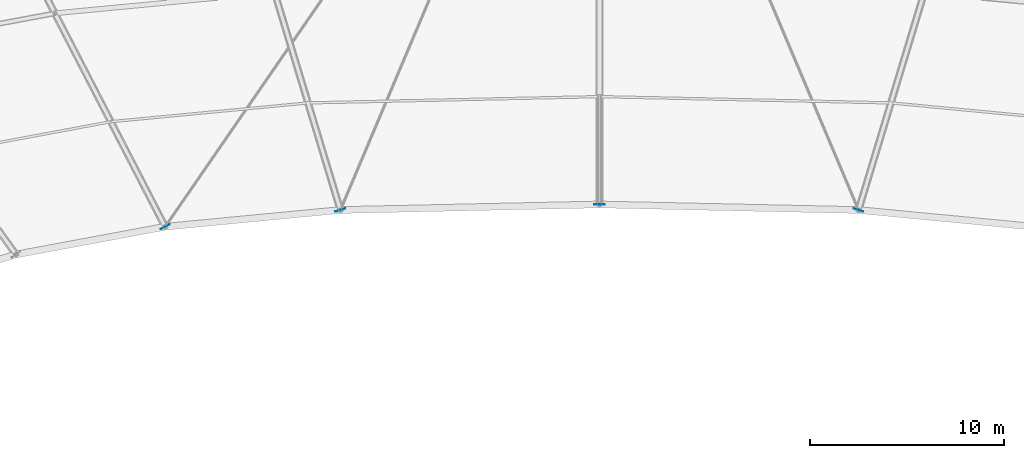
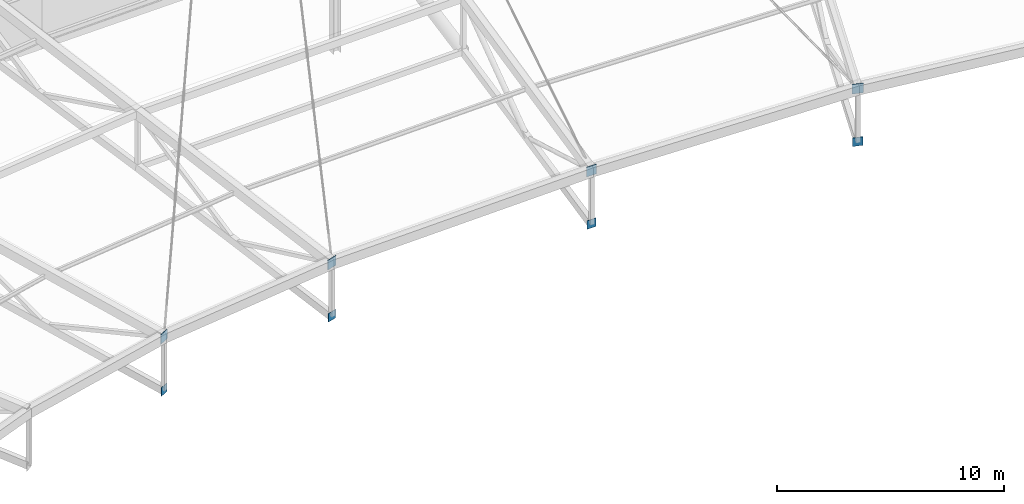
# One storey, part 119 of 143: 8 plates.
"""IFC4 building model written with IfcOpenShell, lengths in metres."""

from ifc_helpers import new_model, si_unit, direction, frame, origin, origin_2d, place, context, subcontext, project, spatial, rectangle, extrude, material, layer, layer_set, type_object, element, save


model = new_model("IFC4")

# Units and contexts
model_context = context("Model", 3, precision=1e-05, world=origin(), true_north=direction((0.0, 1.0)))
body_context = subcontext(model_context, "Body", "Model", "MODEL_VIEW")
ifc_project = project(units=[si_unit("LENGTHUNIT", "METRE"), si_unit("AREAUNIT", "SQUARE_METRE"), si_unit("VOLUMEUNIT", "CUBIC_METRE"), si_unit("PLANEANGLEUNIT", "RADIAN"), si_unit("MASSUNIT", "GRAM", prefix="KILO")], contexts=[model_context])

# Site, building, storey
site_placement = place(None, origin())
site = spatial("IfcSite", under=ifc_project, at=site_placement, CompositionType="ELEMENT")
building_placement = place(site_placement, origin())
building = spatial("IfcBuilding", under=site, at=building_placement, Name="Mphavela Belvedere Stadium", CompositionType="ELEMENT")
storey_placement = place(building_placement, frame((0.0, 0.0, 28.800048828125)))
storey = spatial("IfcBuildingStorey", under=building, at=storey_placement, Name="RF", CompositionType="ELEMENT", Elevation=28.800048828125)

# Plates
ifc_material_1 = material(Name="Steel S355", Category="steel")
ifc_layer_1 = layer(ifc_material_1, 0.01806640625)
ifc_layer_set_1 = layer_set([ifc_layer_1], Name="Steel S355")
plate_type_1 = type_object("IfcPlateType", Name="PLT-CAP-TRUSS-BC", PredefinedType="USERDEFINED", material=ifc_layer_set_1)
for number, where, z_axis, x_axis, name in (
    (1, (128.352294921875, 131.1923828125, 4.116455078125), (0.0, 0.0, 1.0), (0.289198876314, 0.957269037387, 0.0), "Roof truss RT-12 hollow-end cap plate in_bc"),
    (2, (115.0, 131.47998046875, 4.215087890625), (0.0, 0.0, 1.0), (0.0, 1.0, 0.0), "Roof truss RT-13 hollow-end cap plate in_bc"),
    (3, (101.647705078125, 131.1923828125, 4.116455078125), (0.0, 0.0, 1.0), (-0.289198876314, 0.957269037387, 0.0), "Roof truss RT-14 hollow-end cap plate in_bc"),
    (4, (92.616455078125, 130.331298828125, 3.826904296875), (0.0, 0.0, 1.0), (-0.458959712465, 0.888457079624, 0.0), "Roof truss RT-15 hollow-end cap plate in_bc"),
):
    element("IfcPlate", number, at=place(storey_placement, frame(where, z_axis=z_axis, x_axis=x_axis)), inside=storey, type_object=plate_type_1, Name=name, ObjectType="GUSSET_PLATE", PredefinedType="USERDEFINED", context=body_context, shape_type="SweptSolid", body=[
        extrude(rectangle(XDim=0.01806640625, YDim=0.4599609375, at=origin_2d()), origin(), (0.0, 0.0, 1.0), 0.4599609375),
    ])
ifc_material_2 = material(Name="Steel S355", Category="steel")
ifc_layer_2 = layer(ifc_material_2, 0.02001953125)
ifc_layer_set_2 = layer_set([ifc_layer_2], Name="Steel S355")
plate_type_2 = type_object("IfcPlateType", Name="PLT-CAP-TRUSS-TC", PredefinedType="USERDEFINED", material=ifc_layer_set_2)
for number, where, z_axis, x_axis, name in (
    (5, (128.352294921875, 131.1923828125, 6.9365234375), (0.0, 0.0, 1.0), (0.289198876314, 0.957269037387, 0.0), "Roof truss RT-12 hollow-end cap plate in_tc"),
    (6, (115.0, 131.47998046875, 7.03515625), (0.0, 0.0, 1.0), (0.0, 1.0, 0.0), "Roof truss RT-13 hollow-end cap plate in_tc"),
    (7, (101.647705078125, 131.1923828125, 6.9365234375), (0.0, 0.0, 1.0), (-0.289198876314, 0.957269037387, 0.0), "Roof truss RT-14 hollow-end cap plate in_tc"),
    (8, (92.616455078125, 130.331298828125, 6.646728515625), (0.0, 0.0, 1.0), (-0.458959712465, 0.888457079624, 0.0), "Roof truss RT-15 hollow-end cap plate in_tc"),
):
    element("IfcPlate", number, at=place(storey_placement, frame(where, z_axis=z_axis, x_axis=x_axis)), inside=storey, type_object=plate_type_2, Name=name, ObjectType="GUSSET_PLATE", PredefinedType="USERDEFINED", context=body_context, shape_type="SweptSolid", body=[
        extrude(rectangle(XDim=0.02001953125, YDim=0.52001953125, at=origin_2d()), origin(), (0.0, 0.0, 1.0), 0.52001953125),
    ])

save(model, "model.ifc")
